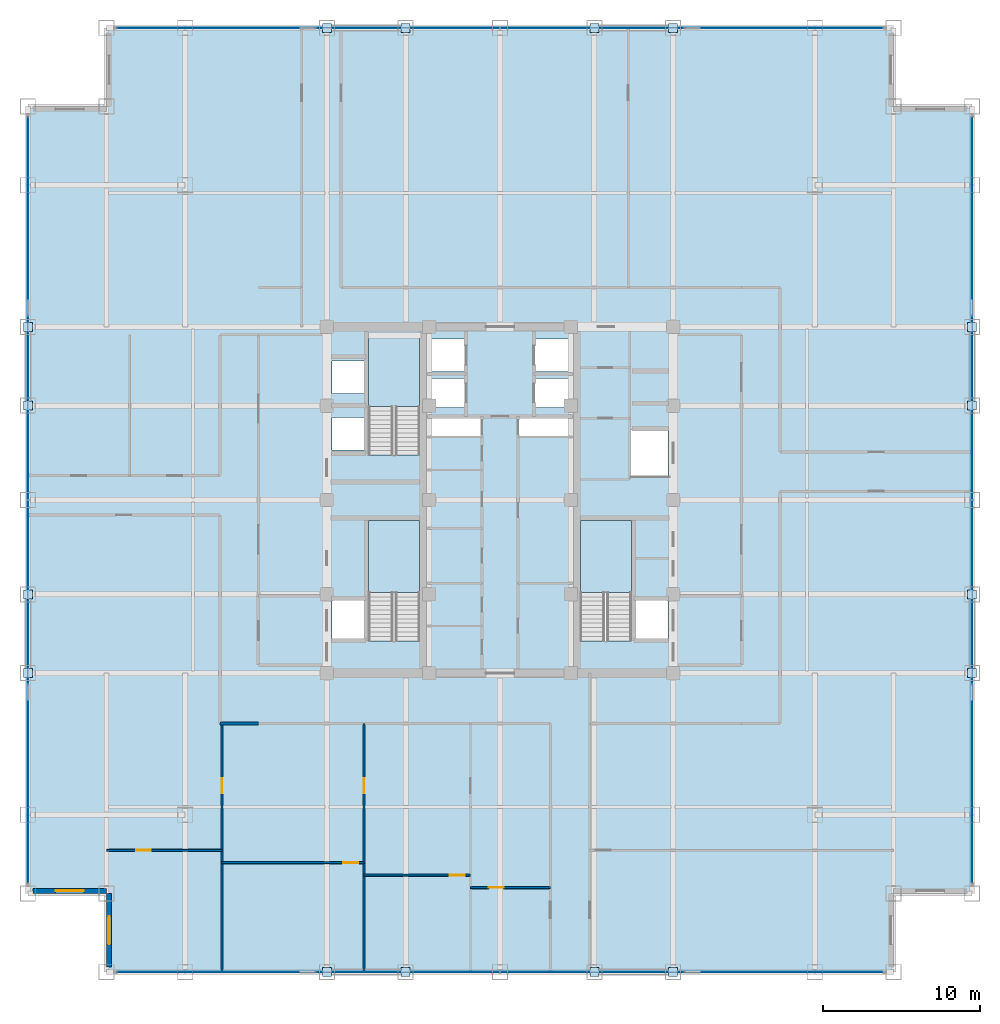
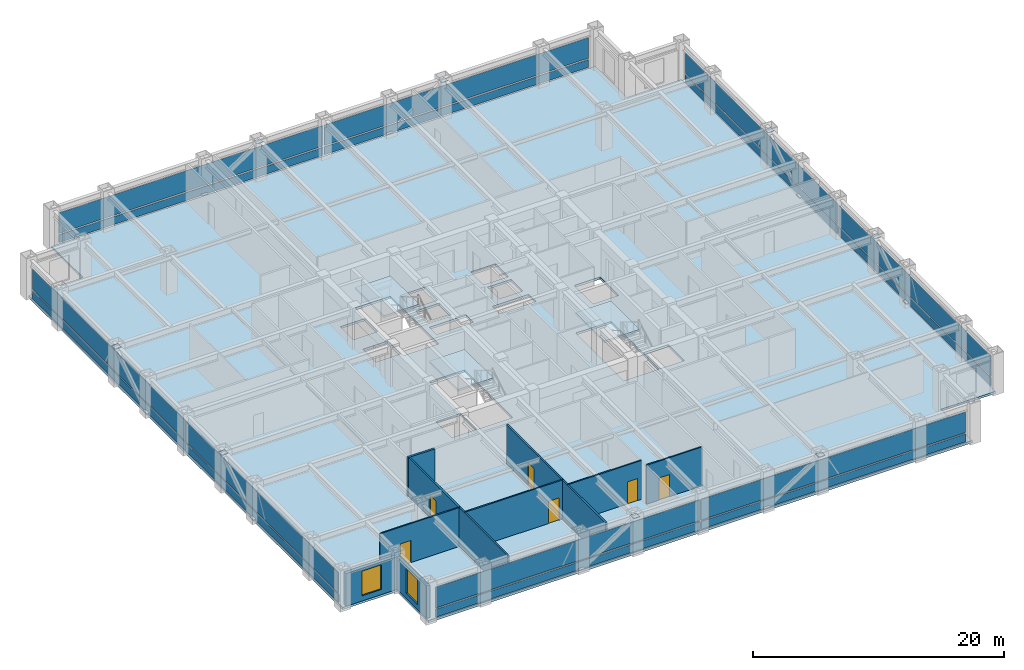
# One storey, part 19 of 24: 32 plates, 9 walls, 6 doors, 4 slabs, 2 windows, 8 openings, 7 elements without a shape of their own.
"""IFC4 building model written with IfcOpenShell, lengths in metres."""

from ifc_helpers import new_model, si_unit, direction, frame, frame_2d, origin, origin_2d, place, context, subcontext, project, spatial, polyline, rectangle, outline, extrude, source, transform, mapped, material, layer, layer_set, type_object, element, fill, aggregate, save


model = new_model("IFC4")

# Units and contexts
model_context = context("Model", 3, precision=1e-05, world=origin(), true_north=direction((0.0, 1.0)))
body_context = subcontext(model_context, "Body", "Model", "MODEL_VIEW")
ifc_project = project(units=[si_unit("LENGTHUNIT", "METRE"), si_unit("AREAUNIT", "SQUARE_METRE"), si_unit("VOLUMEUNIT", "CUBIC_METRE"), si_unit("PLANEANGLEUNIT", "RADIAN"), si_unit("MASSUNIT", "GRAM", prefix="KILO")], contexts=[model_context])

# Site, building, storey
site_placement = place(None, origin())
site = spatial("IfcSite", under=ifc_project, at=site_placement, CompositionType="ELEMENT")
building_placement = place(site_placement, origin())
building = spatial("IfcBuilding", under=site, at=building_placement, Name="Khorayat Bourse Tower", CompositionType="ELEMENT")
storey_placement = place(building_placement, frame((0.0, 0.0, 219.10009765625)))
storey = spatial("IfcBuildingStorey", under=building, at=storey_placement, Name="L51", CompositionType="ELEMENT", Elevation=219.10009765625)

# Stair, slab
ifc_material_1 = material(Name="Concrete C40/50", Category="concrete")
stair_type = type_object("IfcStairType", Name="STR-CORE-1550", PredefinedType="HALF_TURN_STAIR", material=ifc_material_1)
stair_1_placement = place(storey_placement, origin())
stair_1 = element("IfcStair", 1, at=stair_1_placement, inside=storey, type_object=stair_type, Name="L51 Exit Stair ST-1", PredefinedType="HALF_TURN_STAIR")
ifc_layer_1 = layer(ifc_material_1, 0.199951171875)
ifc_layer_set_1 = layer_set([ifc_layer_1], Name="Concrete C40/50")
slab_type_1 = type_object("IfcSlabType", Name="SLB-LANDING-200", PredefinedType="LANDING", material=ifc_layer_set_1)
slab_1_placement = place(storey_placement, frame((0.0, 0.0, 1.7998046875)))
slab_1 = element("IfcSlab", 2, at=slab_1_placement, type_object=slab_type_1, Name="ST-1 landing 1", PredefinedType="LANDING", context=body_context, shape_type="SweptSolid", body=[
    extrude(outline(polyline([(-5.10009765625, -5.8701171875), (-5.10009765625, -1.300048828125), (-8.35009765625, -1.300048828125), (-8.35009765625, -5.8701171875), (-5.10009765625, -5.8701171875)])), origin(), (0.0, 0.0, 1.0), 0.2001953125),
])
aggregate(stair_1, [slab_1])

stair_2_placement = place(storey_placement, origin())
stair_2 = element("IfcStair", 3, at=stair_2_placement, inside=storey, type_object=stair_type, Name="L51 Exit Stair ST-2", PredefinedType="HALF_TURN_STAIR")
slab_2_placement = place(storey_placement, frame((0.0, 0.0, 1.7998046875)))
slab_2 = element("IfcSlab", 4, at=slab_2_placement, type_object=slab_type_1, Name="ST-2 landing 1", PredefinedType="LANDING", context=body_context, shape_type="SweptSolid", body=[
    extrude(outline(polyline([(-5.10009765625, 5.929931640625), (-5.10009765625, 10.5), (-8.35009765625, 10.5), (-8.35009765625, 5.929931640625), (-5.10009765625, 5.929931640625)])), origin(), (0.0, 0.0, 1.0), 0.2001953125),
])
aggregate(stair_2, [slab_2])

stair_3_placement = place(storey_placement, origin())
stair_3 = element("IfcStair", 5, at=stair_3_placement, inside=storey, type_object=stair_type, Name="L51 Exit Stair ST-3", PredefinedType="HALF_TURN_STAIR")
slab_3_placement = place(storey_placement, frame((0.0, 0.0, 1.7998046875)))
slab_3 = element("IfcSlab", 6, at=slab_3_placement, type_object=slab_type_1, Name="ST-3 landing 1", PredefinedType="LANDING", context=body_context, shape_type="SweptSolid", body=[
    extrude(outline(polyline([(8.35009765625, -5.8701171875), (8.35009765625, -1.300048828125), (5.10009765625, -1.300048828125), (5.10009765625, -5.8701171875), (8.35009765625, -5.8701171875)])), origin(), (0.0, 0.0, 1.0), 0.2001953125),
])
aggregate(stair_3, [slab_3])

# Slab
ifc_layer_2 = layer(ifc_material_1, 0.219970703125)
ifc_layer_set_2 = layer_set([ifc_layer_2], Name="Concrete C40/50")
slab_type_2 = type_object("IfcSlabType", Name="SLB-OFFICE-220", PredefinedType="FLOOR", material=ifc_layer_set_2)
slab_4_placement = place(storey_placement, frame((0.0, 0.0, -0.22021484375)))
element("IfcSlab", 7, at=slab_4_placement, inside=storey, type_object=slab_type_2, Name="L51 Main Floor Slab", PredefinedType="FLOOR", context=body_context, shape_type="SweptSolid", body=[
    extrude(outline(polyline([(-25.0, -30.0), (25.0, -30.0), (25.0, -25.0), (30.0, -25.0), (30.0, 25.0), (25.0, 25.0), (25.0, 30.0), (-25.0, 30.0), (-25.0, 25.0), (-30.0, 25.0), (-30.0, -25.0), (-25.0, -25.0), (-25.0, -30.0)]), holes=[polyline([(-8.35009765625, -8.945068359375), (-5.10009765625, -8.945068359375), (-5.10009765625, -1.300048828125), (-8.35009765625, -1.300048828125), (-8.35009765625, -8.945068359375)]), polyline([(-8.35009765625, 2.85498046875), (-5.10009765625, 2.85498046875), (-5.10009765625, 10.5), (-8.35009765625, 10.5), (-8.35009765625, 2.85498046875)]), polyline([(5.10009765625, -8.945068359375), (8.35009765625, -8.945068359375), (8.35009765625, -1.300048828125), (5.10009765625, -1.300048828125), (5.10009765625, -8.945068359375)]), polyline([(-4.3798828125, 8.169921875), (-2.1201171875, 8.169921875), (-2.1201171875, 10.22998046875), (-4.3798828125, 10.22998046875), (-4.3798828125, 8.169921875)]), polyline([(2.1201171875, 8.169921875), (4.3798828125, 8.169921875), (4.3798828125, 10.22998046875), (2.1201171875, 10.22998046875), (2.1201171875, 8.169921875)]), polyline([(-4.3798828125, 5.8701171875), (-2.219970703125, 5.8701171875), (-2.219970703125, 7.72998046875), (-4.3798828125, 7.72998046875), (-4.3798828125, 5.8701171875)]), polyline([(2.219970703125, 5.8701171875), (4.3798828125, 5.8701171875), (4.3798828125, 7.72998046875), (2.219970703125, 7.72998046875), (2.219970703125, 5.8701171875)]), polyline([(-10.679931640625, 3.169921875), (-8.419921875, 3.169921875), (-8.419921875, 5.22998046875), (-10.679931640625, 5.22998046875), (-10.679931640625, 3.169921875)]), polyline([(-10.679931640625, 6.77001953125), (-8.419921875, 6.77001953125), (-8.419921875, 8.830078125), (-10.679931640625, 8.830078125), (-10.679931640625, 6.77001953125)]), polyline([(-10.679931640625, -8.929931640625), (-8.419921875, -8.929931640625), (-8.419921875, -6.3701171875), (-10.679931640625, -6.3701171875), (-10.679931640625, -8.929931640625)]), polyline([(8.419921875, -8.929931640625), (10.679931640625, -8.929931640625), (10.679931640625, -6.3701171875), (8.419921875, -6.3701171875), (8.419921875, -8.929931640625)]), polyline([(8.320068359375, 1.52001953125), (10.679931640625, 1.52001953125), (10.679931640625, 4.47998046875), (8.320068359375, 4.47998046875), (8.320068359375, 1.52001953125)]), polyline([(-4.56005859375, 4.080078125), (-1.18994140625, 4.080078125), (-1.18994140625, 5.219970703125), (-4.56005859375, 5.219970703125), (-4.56005859375, 4.080078125)]), polyline([(1.18994140625, 4.080078125), (4.56005859375, 4.080078125), (4.56005859375, 5.219970703125), (1.18994140625, 5.219970703125), (1.18994140625, 4.080078125)])]), origin(), (0.0, 0.0, 1.0), 0.22021484375),
])

# Plates
ifc_material_2 = material(Name="Steel EN 10025-2 S355J2", Category="steel")
ifc_layer_3 = layer(ifc_material_2, 0.02490234375)
ifc_layer_set_3 = layer_set([ifc_layer_3], Name="Steel EN 10025-2 S355J2")
plate_type_1 = type_object("IfcPlateType", Name="PLT-ENDCAP-25", PredefinedType="SHEET", material=ifc_layer_set_3)
shared_shape_1 = source(origin(), body_context, "Body", "SweptSolid", [
    extrude(rectangle(XDim=0.56005859375, YDim=0.56005859375, at=origin_2d()), origin(), (0.0, 0.0, 1.0), 0.02490234375),
])
for number, where, z_axis, x_axis, name in (
    (8, (-11.0, -30.0, 0.237548828125), (0.0, 0.0, 1.0), (1.0, 0.0, 0.0), "L51 Perimeter Brace End Plate 001"),
    (9, (-6.0, -30.0, 3.517333984375), (0.0, 0.0, 1.0), (1.0, 0.0, 0.0), "L51 Perimeter Brace End Plate 002"),
    (10, (6.0, -30.0, 0.237548828125), (0.0, 0.0, 1.0), (1.0, 0.0, 0.0), "L51 Perimeter Brace End Plate 003"),
    (11, (11.0, -30.0, 3.517333984375), (0.0, 0.0, 1.0), (1.0, 0.0, 0.0), "L51 Perimeter Brace End Plate 004"),
    (12, (-11.0, 30.0, 0.237548828125), (0.0, 0.0, 1.0), (1.0, 0.0, 0.0), "L51 Perimeter Brace End Plate 005"),
    (13, (-6.0, 30.0, 3.517333984375), (0.0, 0.0, 1.0), (1.0, 0.0, 0.0), "L51 Perimeter Brace End Plate 006"),
    (14, (6.0, 30.0, 0.237548828125), (0.0, 0.0, 1.0), (1.0, 0.0, 0.0), "L51 Perimeter Brace End Plate 007"),
    (15, (11.0, 30.0, 3.517333984375), (0.0, 0.0, 1.0), (1.0, 0.0, 0.0), "L51 Perimeter Brace End Plate 008"),
    (16, (-30.0, -11.0, 0.237548828125), (0.0, 0.0, 1.0), (1.0, 0.0, 0.0), "L51 Perimeter Brace End Plate 009"),
    (17, (-30.0, -6.0, 3.517333984375), (0.0, 0.0, 1.0), (1.0, 0.0, 0.0), "L51 Perimeter Brace End Plate 010"),
    (18, (-30.0, 6.0, 0.237548828125), (0.0, 0.0, 1.0), (1.0, 0.0, 0.0), "L51 Perimeter Brace End Plate 011"),
    (19, (-30.0, 11.0, 3.517333984375), (0.0, 0.0, 1.0), (1.0, 0.0, 0.0), "L51 Perimeter Brace End Plate 012"),
    (20, (30.0, -11.0, 0.237548828125), (0.0, 0.0, 1.0), (1.0, 0.0, 0.0), "L51 Perimeter Brace End Plate 013"),
    (21, (30.0, -6.0, 3.517333984375), (0.0, 0.0, 1.0), (1.0, 0.0, 0.0), "L51 Perimeter Brace End Plate 014"),
    (22, (30.0, 6.0, 0.237548828125), (0.0, 0.0, 1.0), (1.0, 0.0, 0.0), "L51 Perimeter Brace End Plate 015"),
    (23, (30.0, 11.0, 3.517333984375), (0.0, 0.0, 1.0), (1.0, 0.0, 0.0), "L51 Perimeter Brace End Plate 016"),
):
    element("IfcPlate", number, at=place(storey_placement, frame(where, z_axis=z_axis, x_axis=x_axis)), inside=storey, type_object=plate_type_1, Name=name, PredefinedType="SHEET", context=body_context, shape_type="MappedRepresentation", body=[
        mapped(shared_shape_1, transform((0.0, 0.0, 0.0), scale=1.0)),
    ])

# Curtain wall, plates
ifc_material_3 = material(Name="Aluminium EN AW-6063 T6", Category="aluminium")
curtain_wall_type = type_object("IfcCurtainWallType", Name="CW-SYS-03", PredefinedType="NOTDEFINED", material=ifc_material_3)
curtain_wall_1_placement = place(storey_placement, origin())
curtain_wall_1 = element("IfcCurtainWall", 24, at=curtain_wall_1_placement, inside=storey, type_object=curtain_wall_type, Name="L51 Curtain Wall CW-L51-S1", PredefinedType="NOTDEFINED")
ifc_material_4 = material(Name="Honed desert limestone insulated spandrel", Category="masonry")
ifc_layer_4 = layer(ifc_material_4, 0.06494140625)
ifc_layer_set_4 = layer_set([ifc_layer_4], Name="Honed desert limestone insulated spandrel")
plate_type_2 = type_object("IfcPlateType", Name="CWP-SPAND-03", PredefinedType="CURTAIN_PANEL", material=ifc_layer_set_4)
shared_shape_2 = source(origin(), body_context, "Body", "SweptSolid", [
    extrude(rectangle(XDim=24.27001953125, YDim=0.06494140625, at=origin_2d()), origin(), (0.0, 0.0, 1.0), 0.77001953125),
])
plate_1_placement = place(storey_placement, frame((-12.195068359375, -30.0, 0.119873046875), z_axis=(0.0, 0.0, 1.0), x_axis=(1.0, 0.0, 0.0)))
plate_1 = element("IfcPlate", 25, at=plate_1_placement, type_object=plate_type_2, Name="CW-L51-S1 Spandrel Panel 1-1", PredefinedType="CURTAIN_PANEL", context=body_context, shape_type="MappedRepresentation", body=[
    mapped(shared_shape_2, transform((0.0, 0.0, 0.0), scale=1.0)),
])
plate_2_placement = place(storey_placement, frame((12.195068359375, -30.0, 0.119873046875), z_axis=(0.0, 0.0, 1.0), x_axis=(1.0, 0.0, 0.0)))
plate_2 = element("IfcPlate", 26, at=plate_2_placement, type_object=plate_type_2, Name="CW-L51-S1 Spandrel Panel 2-1", PredefinedType="CURTAIN_PANEL", context=body_context, shape_type="MappedRepresentation", body=[
    mapped(shared_shape_2, transform((0.0, 0.0, 0.0), scale=1.0)),
])

curtain_wall_2_placement = place(storey_placement, origin())
curtain_wall_2 = element("IfcCurtainWall", 27, at=curtain_wall_2_placement, inside=storey, type_object=curtain_wall_type, Name="L51 Curtain Wall CW-L51-N1", PredefinedType="NOTDEFINED")
plate_3_placement = place(storey_placement, frame((-12.195068359375, 30.0, 0.119873046875), z_axis=(0.0, 0.0, 1.0), x_axis=(1.0, 0.0, 0.0)))
plate_3 = element("IfcPlate", 28, at=plate_3_placement, type_object=plate_type_2, Name="CW-L51-N1 Spandrel Panel 1-1", PredefinedType="CURTAIN_PANEL", context=body_context, shape_type="MappedRepresentation", body=[
    mapped(shared_shape_2, transform((0.0, 0.0, 0.0), scale=1.0)),
])
plate_4_placement = place(storey_placement, frame((12.195068359375, 30.0, 0.119873046875), z_axis=(0.0, 0.0, 1.0), x_axis=(1.0, 0.0, 0.0)))
plate_4 = element("IfcPlate", 29, at=plate_4_placement, type_object=plate_type_2, Name="CW-L51-N1 Spandrel Panel 2-1", PredefinedType="CURTAIN_PANEL", context=body_context, shape_type="MappedRepresentation", body=[
    mapped(shared_shape_2, transform((0.0, 0.0, 0.0), scale=1.0)),
])

curtain_wall_3_placement = place(storey_placement, origin())
curtain_wall_3 = element("IfcCurtainWall", 30, at=curtain_wall_3_placement, inside=storey, type_object=curtain_wall_type, Name="L51 Curtain Wall CW-L51-W1", PredefinedType="NOTDEFINED")
plate_5_placement = place(storey_placement, frame((-30.0, -12.195068359375, 0.119873046875), z_axis=(0.0, 0.0, 1.0), x_axis=(0.0, 1.0, 0.0)))
plate_5 = element("IfcPlate", 31, at=plate_5_placement, type_object=plate_type_2, Name="CW-L51-W1 Spandrel Panel 1-1", PredefinedType="CURTAIN_PANEL", context=body_context, shape_type="MappedRepresentation", body=[
    mapped(shared_shape_2, transform((0.0, 0.0, 0.0), scale=1.0)),
])
plate_6_placement = place(storey_placement, frame((-30.0, 12.195068359375, 0.119873046875), z_axis=(0.0, 0.0, 1.0), x_axis=(0.0, 1.0, 0.0)))
plate_6 = element("IfcPlate", 32, at=plate_6_placement, type_object=plate_type_2, Name="CW-L51-W1 Spandrel Panel 2-1", PredefinedType="CURTAIN_PANEL", context=body_context, shape_type="MappedRepresentation", body=[
    mapped(shared_shape_2, transform((0.0, 0.0, 0.0), scale=1.0)),
])

curtain_wall_4_placement = place(storey_placement, origin())
curtain_wall_4 = element("IfcCurtainWall", 33, at=curtain_wall_4_placement, inside=storey, type_object=curtain_wall_type, Name="L51 Curtain Wall CW-L51-E1", PredefinedType="NOTDEFINED")
plate_7_placement = place(storey_placement, frame((30.0, -12.195068359375, 0.119873046875), z_axis=(0.0, 0.0, 1.0), x_axis=(0.0, 1.0, 0.0)))
plate_7 = element("IfcPlate", 34, at=plate_7_placement, type_object=plate_type_2, Name="CW-L51-E1 Spandrel Panel 1-1", PredefinedType="CURTAIN_PANEL", context=body_context, shape_type="MappedRepresentation", body=[
    mapped(shared_shape_2, transform((0.0, 0.0, 0.0), scale=1.0)),
])
plate_8_placement = place(storey_placement, frame((30.0, 12.195068359375, 0.119873046875), z_axis=(0.0, 0.0, 1.0), x_axis=(0.0, 1.0, 0.0)))
plate_8 = element("IfcPlate", 35, at=plate_8_placement, type_object=plate_type_2, Name="CW-L51-E1 Spandrel Panel 2-1", PredefinedType="CURTAIN_PANEL", context=body_context, shape_type="MappedRepresentation", body=[
    mapped(shared_shape_2, transform((0.0, 0.0, 0.0), scale=1.0)),
])

# Plate
ifc_material_5 = material(Name="Low-E solar-control laminated double glazing", Category="glass")
ifc_layer_5 = layer(ifc_material_5, 0.035888671875)
ifc_layer_set_5 = layer_set([ifc_layer_5], Name="Low-E solar-control laminated double glazing")
plate_type_3 = type_object("IfcPlateType", Name="CWP-VIS-01", PredefinedType="CURTAIN_PANEL", material=ifc_layer_set_5)
shared_shape_3 = source(origin(), body_context, "Body", "SweptSolid", [
    extrude(rectangle(XDim=24.27001953125, YDim=0.035888671875, at=origin_2d()), origin(), (0.0, 0.0, 1.0), 2.0),
])
plate_9_placement = place(storey_placement, frame((-12.195068359375, -30.0, 1.010009765625), z_axis=(0.0, 0.0, 1.0), x_axis=(1.0, 0.0, 0.0)))
plate_9 = element("IfcPlate", 36, at=plate_9_placement, type_object=plate_type_3, Name="CW-L51-S1 Vision Panel 1-2", PredefinedType="CURTAIN_PANEL", context=body_context, shape_type="MappedRepresentation", body=[
    mapped(shared_shape_3, transform((0.0, 0.0, 0.0), scale=1.0)),
])

plate_10_placement = place(storey_placement, frame((12.195068359375, -30.0, 1.010009765625), z_axis=(0.0, 0.0, 1.0), x_axis=(1.0, 0.0, 0.0)))
plate_10 = element("IfcPlate", 37, at=plate_10_placement, type_object=plate_type_3, Name="CW-L51-S1 Vision Panel 2-2", PredefinedType="CURTAIN_PANEL", context=body_context, shape_type="MappedRepresentation", body=[
    mapped(shared_shape_3, transform((0.0, 0.0, 0.0), scale=1.0)),
])

aggregate(curtain_wall_1, [plate_1, plate_9, plate_2, plate_10])

plate_11_placement = place(storey_placement, frame((-12.195068359375, 30.0, 1.010009765625), z_axis=(0.0, 0.0, 1.0), x_axis=(1.0, 0.0, 0.0)))
plate_11 = element("IfcPlate", 38, at=plate_11_placement, type_object=plate_type_3, Name="CW-L51-N1 Vision Panel 1-2", PredefinedType="CURTAIN_PANEL", context=body_context, shape_type="MappedRepresentation", body=[
    mapped(shared_shape_3, transform((0.0, 0.0, 0.0), scale=1.0)),
])

plate_12_placement = place(storey_placement, frame((12.195068359375, 30.0, 1.010009765625), z_axis=(0.0, 0.0, 1.0), x_axis=(1.0, 0.0, 0.0)))
plate_12 = element("IfcPlate", 39, at=plate_12_placement, type_object=plate_type_3, Name="CW-L51-N1 Vision Panel 2-2", PredefinedType="CURTAIN_PANEL", context=body_context, shape_type="MappedRepresentation", body=[
    mapped(shared_shape_3, transform((0.0, 0.0, 0.0), scale=1.0)),
])

aggregate(curtain_wall_2, [plate_3, plate_11, plate_4, plate_12])

plate_13_placement = place(storey_placement, frame((-30.0, -12.195068359375, 1.010009765625), z_axis=(0.0, 0.0, 1.0), x_axis=(0.0, 1.0, 0.0)))
plate_13 = element("IfcPlate", 40, at=plate_13_placement, type_object=plate_type_3, Name="CW-L51-W1 Vision Panel 1-2", PredefinedType="CURTAIN_PANEL", context=body_context, shape_type="MappedRepresentation", body=[
    mapped(shared_shape_3, transform((0.0, 0.0, 0.0), scale=1.0)),
])

plate_14_placement = place(storey_placement, frame((-30.0, 12.195068359375, 1.010009765625), z_axis=(0.0, 0.0, 1.0), x_axis=(0.0, 1.0, 0.0)))
plate_14 = element("IfcPlate", 41, at=plate_14_placement, type_object=plate_type_3, Name="CW-L51-W1 Vision Panel 2-2", PredefinedType="CURTAIN_PANEL", context=body_context, shape_type="MappedRepresentation", body=[
    mapped(shared_shape_3, transform((0.0, 0.0, 0.0), scale=1.0)),
])

aggregate(curtain_wall_3, [plate_5, plate_13, plate_6, plate_14])

plate_15_placement = place(storey_placement, frame((30.0, -12.195068359375, 1.010009765625), z_axis=(0.0, 0.0, 1.0), x_axis=(0.0, 1.0, 0.0)))
plate_15 = element("IfcPlate", 42, at=plate_15_placement, type_object=plate_type_3, Name="CW-L51-E1 Vision Panel 1-2", PredefinedType="CURTAIN_PANEL", context=body_context, shape_type="MappedRepresentation", body=[
    mapped(shared_shape_3, transform((0.0, 0.0, 0.0), scale=1.0)),
])

plate_16_placement = place(storey_placement, frame((30.0, 12.195068359375, 1.010009765625), z_axis=(0.0, 0.0, 1.0), x_axis=(0.0, 1.0, 0.0)))
plate_16 = element("IfcPlate", 43, at=plate_16_placement, type_object=plate_type_3, Name="CW-L51-E1 Vision Panel 2-2", PredefinedType="CURTAIN_PANEL", context=body_context, shape_type="MappedRepresentation", body=[
    mapped(shared_shape_3, transform((0.0, 0.0, 0.0), scale=1.0)),
])

aggregate(curtain_wall_4, [plate_7, plate_15, plate_8, plate_16])

# Wall, opening, window
ifc_material_6 = material(Name="Precast concrete C45/55", Category="concrete")
ifc_layer_6 = layer(ifc_material_6, 0.320068359375)
ifc_layer_set_6 = layer_set([ifc_layer_6], Name="Precast concrete C45/55")
wall_type_1 = type_object("IfcWallType", Name="WAL-EXT-STONE-320", PredefinedType="STANDARD", material=ifc_layer_set_6)
shared_shape_4 = source(origin(), body_context, "Body", "SweptSolid", [
    extrude(rectangle(XDim=4.679931640625, YDim=0.320068359375, at=frame_2d((2.33984375, 0.0))), origin(), (0.0, 0.0, 1.0), 3.163818359375),
])
wall_1_placement = place(storey_placement, frame((-25.0, -24.840087890625, 0.0), z_axis=(0.0, 0.0, 1.0), x_axis=(-1.0, 0.0, 0.0)))
wall_1 = element("IfcWall", 44, at=wall_1_placement, inside=storey, type_object=wall_type_1, Name="L51 Re-Entrant Notch Limestone Wall SW-H", PredefinedType="STANDARD", context=body_context, shape_type="MappedRepresentation", body=[
    mapped(shared_shape_4, transform((0.0, 0.0, 0.0), scale=1.0)),
])
shared_shape_5 = source(origin(), body_context, "Body", "SweptSolid", [
    extrude(rectangle(XDim=1.800048828125, YDim=2.39990234375, at=frame_2d((0.89990234375, 1.199951171875))), frame((0.0, 0.169921875, 0.0), z_axis=(0.0, -1.0, 0.0), x_axis=(1.0, 0.0, 0.0)), (0.0, 0.0, 1.0), 0.340087890625),
])
opening_1_placement = place(wall_1_placement, frame((1.43994140625, 0.0, 0.5)))
opening_1 = element("IfcOpeningElement", 45, at=opening_1_placement, cuts=wall_1, Name="Opening WN-04", PredefinedType="OPENING", context=body_context, shape_type="MappedRepresentation", body=[
    mapped(shared_shape_5, transform((0.0, 0.0, 0.0), scale=1.0)),
])
ifc_material_7 = material(Name="Low-E acoustic laminated double glazing", Category="glass")
window_type = type_object("IfcWindowType", Name="WIN-NOTCH-1800x2400", PartitioningType="SINGLE_PANEL", PredefinedType="WINDOW", material=ifc_material_7)
shared_shape_6 = source(origin(), body_context, "Body", "SweptSolid", [
    extrude(rectangle(XDim=1.800048828125, YDim=2.39990234375, at=frame_2d((0.89990234375, 1.199951171875))), frame((0.0, 0.030029296875, 0.0), z_axis=(0.0, -1.0, 0.0), x_axis=(1.0, 0.0, 0.0)), (0.0, 0.0, 1.0), 0.06005859375),
])
window_1_placement = place(opening_1_placement, origin())
window_1 = element("IfcWindow", 46, at=window_1_placement, inside=storey, type_object=window_type, Name="L51 Facade Window 1", OverallHeight=2.39990234375, OverallWidth=1.800048828125, PartitioningType="SINGLE_PANEL", PredefinedType="WINDOW", context=body_context, shape_type="MappedRepresentation", body=[
    mapped(shared_shape_6, transform((0.0, 0.0, 0.0), scale=1.0)),
])
fill(opening_1, window_1)

wall_2_placement = place(storey_placement, frame((-24.840087890625, -29.679931640625, 0.0), z_axis=(0.0, 0.0, 1.0), x_axis=(0.0, 1.0, 0.0)))
wall_2 = element("IfcWall", 47, at=wall_2_placement, inside=storey, type_object=wall_type_1, Name="L51 Re-Entrant Notch Limestone Wall SW-V", PredefinedType="STANDARD", context=body_context, shape_type="MappedRepresentation", body=[
    mapped(shared_shape_4, transform((0.0, 0.0, 0.0), scale=1.0)),
])
opening_2_placement = place(wall_2_placement, frame((1.43994140625, 0.0, 0.5)))
opening_2 = element("IfcOpeningElement", 48, at=opening_2_placement, cuts=wall_2, Name="Opening WN-04", PredefinedType="OPENING", context=body_context, shape_type="MappedRepresentation", body=[
    mapped(shared_shape_5, transform((0.0, 0.0, 0.0), scale=1.0)),
])
window_2_placement = place(opening_2_placement, origin())
window_2 = element("IfcWindow", 49, at=window_2_placement, inside=storey, type_object=window_type, Name="L51 Facade Window 1", OverallHeight=2.39990234375, OverallWidth=1.800048828125, PartitioningType="SINGLE_PANEL", PredefinedType="WINDOW", context=body_context, shape_type="MappedRepresentation", body=[
    mapped(shared_shape_6, transform((0.0, 0.0, 0.0), scale=1.0)),
])
fill(opening_2, window_2)

# Wall
ifc_material_8 = material(Name="Gypsum plasterboard acoustic stud wall")
ifc_layer_7 = layer(ifc_material_8, 0.179931640625)
ifc_layer_set_7 = layer_set([ifc_layer_7], Name="Gypsum plasterboard acoustic stud wall")
wall_type_2 = type_object("IfcWallType", Name="WAL-PART-CORR-180", PredefinedType="PARTITIONING", material=ifc_layer_set_7)
shared_shape_7 = source(origin(), body_context, "Body", "SweptSolid", [
    extrude(rectangle(XDim=2.449951171875, YDim=0.179931640625, at=frame_2d((1.22509765625, 0.0))), origin(), (0.0, 0.0, 1.0), 3.77978515625),
])
wall_3_placement = place(storey_placement, frame((-17.800048828125, -14.199951171875, 0.0), z_axis=(0.0, 0.0, 1.0), x_axis=(1.0, 0.0, 0.0)))
element("IfcWall", 50, at=wall_3_placement, inside=storey, type_object=wall_type_2, Name="L51 Partition WAL-L51-C2-WS", PredefinedType="PARTITIONING", context=body_context, shape_type="MappedRepresentation", body=[
    mapped(shared_shape_7, transform((0.0, 0.0, 0.0), scale=1.0)),
])

# Wall, opening, door
ifc_material_9 = material(Name="Gypsum plasterboard twin-frame partition")
ifc_layer_8 = layer(ifc_material_9, 0.14990234375)
ifc_layer_set_8 = layer_set([ifc_layer_8], Name="Gypsum plasterboard twin-frame partition")
wall_type_3 = type_object("IfcWallType", Name="WAL-PART-SUITE-150", PredefinedType="PARTITIONING", material=ifc_layer_set_8)
shared_shape_8 = source(origin(), body_context, "Body", "SweptSolid", [
    extrude(rectangle(XDim=15.800048828125, YDim=0.14990234375, at=frame_2d((7.89990234375, 0.0))), origin(), (0.0, 0.0, 1.0), 3.77978515625),
])
wall_4_placement = place(storey_placement, frame((-17.66796875, -30.0, 0.0), z_axis=(0.0, 0.0, 1.0), x_axis=(0.0, 1.0, 0.0)))
wall_4 = element("IfcWall", 51, at=wall_4_placement, inside=storey, type_object=wall_type_3, Name="L51 Partition WAL-L51-QSWDV-1", PredefinedType="PARTITIONING", context=body_context, shape_type="MappedRepresentation", body=[
    mapped(shared_shape_8, transform((0.0, 0.0, 0.0), scale=1.0)),
])
shared_shape_9 = source(origin(), body_context, "Body", "SweptSolid", [
    extrude(rectangle(XDim=0.949951171875, YDim=2.14990234375, at=frame_2d((0.47509765625, 1.074951171875))), frame((0.0, 0.0849609375, 0.0), z_axis=(0.0, -1.0, 0.0), x_axis=(1.0, 0.0, 0.0)), (0.0, 0.0, 1.0), 0.169921875),
])
opening_3_placement = place(wall_4_placement, frame((11.375, 0.0, 0.0)))
opening_3 = element("IfcOpeningElement", 52, at=opening_3_placement, cuts=wall_4, Name="Opening DI-05", PredefinedType="OPENING", context=body_context, shape_type="MappedRepresentation", body=[
    mapped(shared_shape_9, transform((0.0, 0.0, 0.0), scale=1.0)),
])
ifc_material_10 = material(Name="Acoustic oak veneer office door")
door_type = type_object("IfcDoorType", Name="DR-INT-OFFICE-950", OperationType="NOTDEFINED", PredefinedType="DOOR", material=ifc_material_10)
shared_shape_10 = source(origin(), body_context, "Body", "SweptSolid", [
    extrude(rectangle(XDim=0.949951171875, YDim=2.14990234375, at=frame_2d((0.47509765625, 1.074951171875))), frame((0.0, 0.02490234375, 0.0), z_axis=(0.0, -1.0, 0.0), x_axis=(1.0, 0.0, 0.0)), (0.0, 0.0, 1.0), 0.050048828125),
])
door_1_placement = place(opening_3_placement, origin())
door_1 = element("IfcDoor", 53, at=door_1_placement, inside=storey, type_object=door_type, Name="L51 South-West Suite Link 1", OperationType="SINGLE_SWING_RIGHT", OverallHeight=2.14990234375, OverallWidth=0.949951171875, PredefinedType="DOOR", context=body_context, shape_type="MappedRepresentation", body=[
    mapped(shared_shape_10, transform((0.0, 0.0, 0.0), scale=1.0)),
])
fill(opening_3, door_1)

wall_5_placement = place(storey_placement, frame((-8.64404296875, -30.0, 0.0), z_axis=(0.0, 0.0, 1.0), x_axis=(0.0, 1.0, 0.0)))
wall_5 = element("IfcWall", 54, at=wall_5_placement, inside=storey, type_object=wall_type_3, Name="L51 Partition WAL-L51-QSWDV-2", PredefinedType="PARTITIONING", context=body_context, shape_type="MappedRepresentation", body=[
    mapped(shared_shape_8, transform((0.0, 0.0, 0.0), scale=1.0)),
])
opening_4_placement = place(wall_5_placement, frame((11.375, 0.0, 0.0)))
opening_4 = element("IfcOpeningElement", 55, at=opening_4_placement, cuts=wall_5, Name="Opening DI-05", PredefinedType="OPENING", context=body_context, shape_type="MappedRepresentation", body=[
    mapped(shared_shape_9, transform((0.0, 0.0, 0.0), scale=1.0)),
])
door_2_placement = place(opening_4_placement, origin())
door_2 = element("IfcDoor", 56, at=door_2_placement, inside=storey, type_object=door_type, Name="L51 South-West Suite Link 2", OperationType="SINGLE_SWING_LEFT", OverallHeight=2.14990234375, OverallWidth=0.949951171875, PredefinedType="DOOR", context=body_context, shape_type="MappedRepresentation", body=[
    mapped(shared_shape_10, transform((0.0, 0.0, 0.0), scale=1.0)),
])
fill(opening_4, door_2)

ifc_material_11 = material(Name="Gypsum plasterboard partition")
ifc_layer_9 = layer(ifc_material_11, 0.125)
ifc_layer_set_9 = layer_set([ifc_layer_9], Name="Gypsum plasterboard partition")
wall_type_4 = type_object("IfcWallType", Name="WAL-PART-ROOM-125", PredefinedType="PARTITIONING", material=ifc_layer_set_9)
shared_shape_11 = source(origin(), body_context, "Body", "SweptSolid", [
    extrude(rectangle(XDim=7.33203125, YDim=0.125, at=frame_2d((3.666015625, 0.0))), origin(), (0.0, 0.0, 1.0), 3.77978515625),
])
wall_6_placement = place(storey_placement, frame((-25.0, -22.258056640625, 0.0), z_axis=(0.0, 0.0, 1.0), x_axis=(1.0, 0.0, 0.0)))
wall_6 = element("IfcWall", 57, at=wall_6_placement, inside=storey, type_object=wall_type_4, Name="L51 Partition WAL-L51-QSWDP-1", PredefinedType="PARTITIONING", context=body_context, shape_type="MappedRepresentation", body=[
    mapped(shared_shape_11, transform((0.0, 0.0, 0.0), scale=1.0)),
])
shared_shape_12 = source(origin(), body_context, "Body", "SweptSolid", [
    extrude(rectangle(XDim=0.949951171875, YDim=2.14990234375, at=frame_2d((0.47509765625, 1.074951171875))), frame((0.0, 0.072509765625, 0.0), z_axis=(0.0, -1.0, 0.0), x_axis=(1.0, 0.0, 0.0)), (0.0, 0.0, 1.0), 0.14501953125),
])
opening_5_placement = place(wall_6_placement, frame((1.87109375, 0.0, 0.0)))
opening_5 = element("IfcOpeningElement", 58, at=opening_5_placement, cuts=wall_6, Name="Opening DI-05", PredefinedType="OPENING", context=body_context, shape_type="MappedRepresentation", body=[
    mapped(shared_shape_12, transform((0.0, 0.0, 0.0), scale=1.0)),
])
door_3_placement = place(opening_5_placement, origin())
door_3 = element("IfcDoor", 59, at=door_3_placement, inside=storey, type_object=door_type, Name="L51 South-West Clearing Operations Office 1B Door", OperationType="SINGLE_SWING_RIGHT", OverallHeight=2.14990234375, OverallWidth=0.949951171875, PredefinedType="DOOR", context=body_context, shape_type="MappedRepresentation", body=[
    mapped(shared_shape_10, transform((0.0, 0.0, 0.0), scale=1.0)),
])
fill(opening_5, door_3)

shared_shape_13 = source(origin(), body_context, "Body", "SweptSolid", [
    extrude(rectangle(XDim=9.02392578125, YDim=0.125, at=frame_2d((4.511962890625, 0.0))), origin(), (0.0, 0.0, 1.0), 3.77978515625),
])
wall_7_placement = place(storey_placement, frame((-17.66796875, -23.048095703125, 0.0), z_axis=(0.0, 0.0, 1.0), x_axis=(1.0, 0.0, 0.0)))
wall_7 = element("IfcWall", 60, at=wall_7_placement, inside=storey, type_object=wall_type_4, Name="L51 Partition WAL-L51-QSWDP-2", PredefinedType="PARTITIONING", context=body_context, shape_type="MappedRepresentation", body=[
    mapped(shared_shape_13, transform((0.0, 0.0, 0.0), scale=1.0)),
])
opening_6_placement = place(wall_7_placement, frame((7.698974609375, 0.0, 0.0)))
opening_6 = element("IfcOpeningElement", 61, at=opening_6_placement, cuts=wall_7, Name="Opening DI-05", PredefinedType="OPENING", context=body_context, shape_type="MappedRepresentation", body=[
    mapped(shared_shape_12, transform((0.0, 0.0, 0.0), scale=1.0)),
])
door_4_placement = place(opening_6_placement, origin())
door_4 = element("IfcDoor", 62, at=door_4_placement, inside=storey, type_object=door_type, Name="L51 South-West Equities Trading Desk 2B Door", OperationType="SINGLE_SWING_LEFT", OverallHeight=2.14990234375, OverallWidth=0.949951171875, PredefinedType="DOOR", context=body_context, shape_type="MappedRepresentation", body=[
    mapped(shared_shape_10, transform((0.0, 0.0, 0.0), scale=1.0)),
])
fill(opening_6, door_4)

shared_shape_14 = source(origin(), body_context, "Body", "SweptSolid", [
    extrude(rectangle(XDim=6.76806640625, YDim=0.125, at=frame_2d((3.384033203125, 0.0))), origin(), (0.0, 0.0, 1.0), 3.77978515625),
])
wall_8_placement = place(storey_placement, frame((-8.64404296875, -23.837890625, 0.0), z_axis=(0.0, 0.0, 1.0), x_axis=(1.0, 0.0, 0.0)))
wall_8 = element("IfcWall", 63, at=wall_8_placement, inside=storey, type_object=wall_type_4, Name="L51 Partition WAL-L51-QSWDP-3", PredefinedType="PARTITIONING", context=body_context, shape_type="MappedRepresentation", body=[
    mapped(shared_shape_14, transform((0.0, 0.0, 0.0), scale=1.0)),
])
opening_7_placement = place(wall_8_placement, frame((5.443115234375, 0.0, 0.0)))
opening_7 = element("IfcOpeningElement", 64, at=opening_7_placement, cuts=wall_8, Name="Opening DI-05", PredefinedType="OPENING", context=body_context, shape_type="MappedRepresentation", body=[
    mapped(shared_shape_12, transform((0.0, 0.0, 0.0), scale=1.0)),
])
door_5_placement = place(opening_7_placement, origin())
door_5 = element("IfcDoor", 65, at=door_5_placement, inside=storey, type_object=door_type, Name="L51 South-West Executive Boardroom 3B Door", OperationType="SINGLE_SWING_RIGHT", OverallHeight=2.14990234375, OverallWidth=0.949951171875, PredefinedType="DOOR", context=body_context, shape_type="MappedRepresentation", body=[
    mapped(shared_shape_10, transform((0.0, 0.0, 0.0), scale=1.0)),
])
fill(opening_7, door_5)

shared_shape_15 = source(origin(), body_context, "Body", "SweptSolid", [
    extrude(rectangle(XDim=5.075927734375, YDim=0.125, at=frame_2d((2.5380859375, 0.0))), origin(), (0.0, 0.0, 1.0), 3.77978515625),
])
wall_9_placement = place(storey_placement, frame((-1.8759765625, -24.6279296875, 0.0), z_axis=(0.0, 0.0, 1.0), x_axis=(1.0, 0.0, 0.0)))
wall_9 = element("IfcWall", 66, at=wall_9_placement, inside=storey, type_object=wall_type_4, Name="L51 Partition WAL-L51-QSWDP-4", PredefinedType="PARTITIONING", context=body_context, shape_type="MappedRepresentation", body=[
    mapped(shared_shape_15, transform((0.0, 0.0, 0.0), scale=1.0)),
])
opening_8_placement = place(wall_9_placement, frame((1.1494140625, 0.0, 0.0)))
opening_8 = element("IfcOpeningElement", 67, at=opening_8_placement, cuts=wall_9, Name="Opening DI-05", PredefinedType="OPENING", context=body_context, shape_type="MappedRepresentation", body=[
    mapped(shared_shape_12, transform((0.0, 0.0, 0.0), scale=1.0)),
])
door_6_placement = place(opening_8_placement, origin())
door_6 = element("IfcDoor", 68, at=door_6_placement, inside=storey, type_object=door_type, Name="L51 South-West Staff Tea Pantry 4B Door", OperationType="SINGLE_SWING_LEFT", OverallHeight=2.14990234375, OverallWidth=0.949951171875, PredefinedType="DOOR", context=body_context, shape_type="MappedRepresentation", body=[
    mapped(shared_shape_10, transform((0.0, 0.0, 0.0), scale=1.0)),
])
fill(opening_8, door_6)

save(model, "model.ifc")
